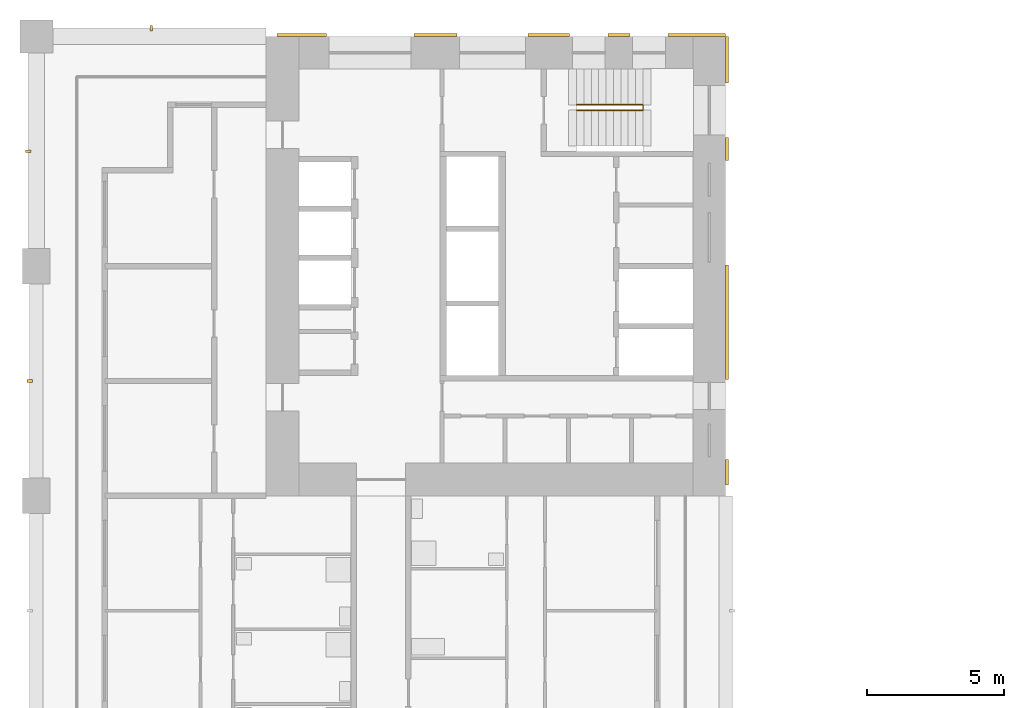
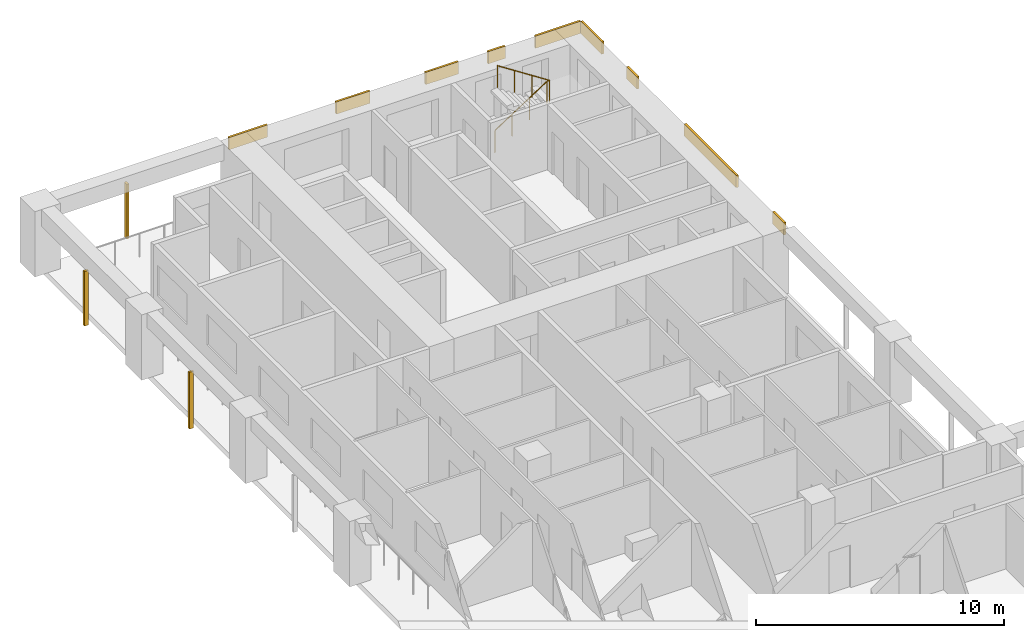
# One storey, part 15 of 17: 12 shading devices, 1 railing.
"""IFC4 building model written with IfcOpenShell, lengths in metres."""

from ifc_helpers import new_model, si_unit, direction, frame, origin, origin_2d, place, context, subcontext, project, spatial, rectangle, circle, extrude, material, layer, layer_set, material_profile, profile_set, type_object, element, save


model = new_model("IFC4")

# Units and contexts
model_context = context("Model", 3, precision=1e-05, world=origin(), true_north=direction((0.0, 1.0)))
body_context = subcontext(model_context, "Body", "Model", "MODEL_VIEW")
ifc_project = project(units=[si_unit("LENGTHUNIT", "METRE"), si_unit("AREAUNIT", "SQUARE_METRE"), si_unit("VOLUMEUNIT", "CUBIC_METRE"), si_unit("PLANEANGLEUNIT", "RADIAN"), si_unit("MASSUNIT", "GRAM", prefix="KILO")], contexts=[model_context])

# Site, building, storey
site_placement = place(None, origin())
site = spatial("IfcSite", under=ifc_project, at=site_placement, CompositionType="ELEMENT")
building_placement = place(site_placement, origin())
building = spatial("IfcBuilding", under=site, at=building_placement, Name="Vermilion Gate Residences", CompositionType="ELEMENT")
storey_placement = place(building_placement, frame((0.0, 0.0, 91.699951171875)))
storey = spatial("IfcBuildingStorey", under=building, at=storey_placement, Name="L22", CompositionType="ELEMENT", Elevation=91.699951171875)

# Railing
ifc_material_1 = material(Name="Steel S355", Category="steel")
railing_type = type_object("IfcRailingType", Name="STAIR GUARD 1100 STEEL", PredefinedType="GUARDRAIL", material=ifc_material_1)
railing_placement = place(storey_placement, frame((19.75, 56.300048828125, 0.175048828125)))
element("IfcRailing", 1, at=railing_placement, inside=storey, type_object=railing_type, Name="Stair well guard STB1-22", PredefinedType="GUARDRAIL", context=body_context, shape_type="SweptSolid", body=[
    extrude(circle(Radius=0.02392578125, at=origin_2d()), frame((0.0, 0.0, 1.076171875), z_axis=(0.839153699163, 0.0, 0.543894354798), x_axis=(0.0, 1.0, 0.0)), (0.0, 0.0, 1.0), 2.895751953125),
    extrude(circle(Radius=0.02392578125, at=origin_2d()), frame((2.429931640625, 0.0, 2.65087890625), z_axis=(0.0, -0.752405939678, 0.658699705433), x_axis=(1.0, 0.0, 0.0)), (0.0, 0.0, 1.0), 0.265869140625),
    extrude(circle(Radius=0.02392578125, at=origin_2d()), frame((2.429931640625, -0.199951171875, 2.826171875), z_axis=(-0.839153699163, 0.0, 0.543894354798), x_axis=(0.0, -1.0, 0.0)), (0.0, 0.0, 1.0), 2.895751953125),
    extrude(circle(Radius=0.02099609375, at=origin_2d()), origin(), (0.0, 0.0, 1.0), 1.052001953125),
    extrude(circle(Radius=0.02099609375, at=origin_2d()), frame((0.81005859375, 0.0, 0.52490234375)), (0.0, 0.0, 1.0), 1.052001953125),
    extrude(circle(Radius=0.02099609375, at=origin_2d()), frame((1.619873046875, 0.0, 1.050048828125)), (0.0, 0.0, 1.0), 1.052001953125),
    extrude(circle(Radius=0.02099609375, at=origin_2d()), frame((2.429931640625, 0.0, 1.574951171875)), (0.0, 0.0, 1.0), 1.052001953125),
    extrude(circle(Radius=0.02099609375, at=origin_2d()), frame((2.429931640625, -0.199951171875, 1.75)), (0.0, 0.0, 1.0), 1.052001953125),
    extrude(circle(Radius=0.02099609375, at=origin_2d()), frame((1.619873046875, -0.199951171875, 2.27490234375)), (0.0, 0.0, 1.0), 1.052001953125),
    extrude(circle(Radius=0.02099609375, at=origin_2d()), frame((0.81005859375, -0.199951171875, 2.800048828125)), (0.0, 0.0, 1.0), 1.052001953125),
    extrude(circle(Radius=0.02099609375, at=origin_2d()), frame((0.0, -0.199951171875, 3.324951171875)), (0.0, 0.0, 1.0), 1.052001953125),
])

# Shading devices
ifc_material_2 = material(Name="Extruded terracotta", Category="masonry")
ifc_material_profile = material_profile(ifc_material_2, rectangle(XDim=0.199951171875, YDim=0.10009765625, at=origin_2d()), Name="BAGUETTE 100 X 200")
ifc_profile_set = profile_set([ifc_material_profile], Name="Extruded terracotta")
shading_device_type_1 = type_object("IfcShadingDeviceType", Name="TERRACOTTA BAGUETTE 100 X 200", PredefinedType="JALOUSIE", material=ifc_profile_set)
shading_device_1_placement = place(storey_placement, frame((4.199951171875, 59.10009765625, -0.280029296875), z_axis=(0.0, 0.0, 1.0), x_axis=(0.0, -1.0, 0.0)))
element("IfcShadingDevice", 2, at=shading_device_1_placement, inside=storey, type_object=shading_device_type_1, Name="BAGUETTE", PredefinedType="JALOUSIE", context=body_context, shape_type="SweptSolid", body=[
    extrude(rectangle(XDim=0.199951171875, YDim=0.10009765625, at=origin_2d()), origin(), (0.0, 0.0, 1.0), 2.7001953125),
])
shading_device_2_placement = place(storey_placement, frame((-0.25, 46.199951171875, -0.280029296875), z_axis=(0.0, 0.0, 1.0), x_axis=(1.0, 0.0, 0.0)))
element("IfcShadingDevice", 3, at=shading_device_2_placement, inside=storey, type_object=shading_device_type_1, Name="BAGUETTE", PredefinedType="JALOUSIE", context=body_context, shape_type="SweptSolid", body=[
    extrude(rectangle(XDim=0.199951171875, YDim=0.10009765625, at=origin_2d()), origin(), (0.0, 0.0, 1.0), 2.800048828125),
])
shading_device_3_placement = place(storey_placement, frame((-0.300048828125, 54.60009765625, -0.280029296875), z_axis=(0.0, 0.0, 1.0), x_axis=(1.0, 0.0, 0.0)))
element("IfcShadingDevice", 4, at=shading_device_3_placement, inside=storey, type_object=shading_device_type_1, Name="BAGUETTE", PredefinedType="JALOUSIE", context=body_context, shape_type="SweptSolid", body=[
    extrude(rectangle(XDim=0.199951171875, YDim=0.10009765625, at=origin_2d()), origin(), (0.0, 0.0, 1.0), 2.7001953125),
])
ifc_material_3 = material(Name="Extruded terracotta", Category="masonry")
ifc_layer = layer(ifc_material_3, 0.10009765625)
ifc_layer_set = layer_set([ifc_layer], Name="TERRACOTTA SPANDREL BAND 600 X 100")
shading_device_type_2 = type_object("IfcShadingDeviceType", Name="TERRACOTTA SPANDREL BAND 600 X 100", PredefinedType="USERDEFINED", material=ifc_layer_set)
shading_device_4_placement = place(storey_placement, frame((9.702392578125, 58.85009765625, 2.6201171875), z_axis=(0.0, 0.0, 1.0), x_axis=(1.0, 0.0, 0.0)))
element("IfcShadingDevice", 5, at=shading_device_4_placement, inside=storey, type_object=shading_device_type_2, Name="SPANDREL BAND", ObjectType="BAND", PredefinedType="USERDEFINED", context=body_context, shape_type="SweptSolid", body=[
    extrude(rectangle(XDim=1.804931640625, YDim=0.10009765625, at=origin_2d()), origin(), (0.0, 0.0, 1.0), 0.60009765625),
])
shading_device_5_placement = place(storey_placement, frame((14.590087890625, 58.85009765625, 2.6201171875), z_axis=(0.0, 0.0, 1.0), x_axis=(1.0, 0.0, 0.0)))
element("IfcShadingDevice", 6, at=shading_device_5_placement, inside=storey, type_object=shading_device_type_2, Name="SPANDREL BAND", ObjectType="BAND", PredefinedType="USERDEFINED", context=body_context, shape_type="SweptSolid", body=[
    extrude(rectangle(XDim=1.570068359375, YDim=0.10009765625, at=origin_2d()), origin(), (0.0, 0.0, 1.0), 0.60009765625),
])
shading_device_6_placement = place(storey_placement, frame((18.734130859375, 58.85009765625, 2.6201171875), z_axis=(0.0, 0.0, 1.0), x_axis=(1.0, 0.0, 0.0)))
element("IfcShadingDevice", 7, at=shading_device_6_placement, inside=storey, type_object=shading_device_type_2, Name="SPANDREL BAND", ObjectType="BAND", PredefinedType="USERDEFINED", context=body_context, shape_type="SweptSolid", body=[
    extrude(rectangle(XDim=1.518310546875, YDim=0.10009765625, at=origin_2d()), origin(), (0.0, 0.0, 1.0), 0.60009765625),
])
shading_device_7_placement = place(storey_placement, frame((21.294921875, 58.85009765625, 2.6201171875), z_axis=(0.0, 0.0, 1.0), x_axis=(1.0, 0.0, 0.0)))
element("IfcShadingDevice", 8, at=shading_device_7_placement, inside=storey, type_object=shading_device_type_2, Name="SPANDREL BAND", ObjectType="BAND", PredefinedType="USERDEFINED", context=body_context, shape_type="SweptSolid", body=[
    extrude(rectangle(XDim=0.803466796875, YDim=0.10009765625, at=origin_2d()), origin(), (0.0, 0.0, 1.0), 0.60009765625),
])
shading_device_8_placement = place(storey_placement, frame((24.1484375, 58.85009765625, 2.6201171875), z_axis=(0.0, 0.0, 1.0), x_axis=(1.0, 0.0, 0.0)))
element("IfcShadingDevice", 9, at=shading_device_8_placement, inside=storey, type_object=shading_device_type_2, Name="SPANDREL BAND", ObjectType="BAND", PredefinedType="USERDEFINED", context=body_context, shape_type="SweptSolid", body=[
    extrude(rectangle(XDim=2.103271484375, YDim=0.10009765625, at=origin_2d()), origin(), (0.0, 0.0, 1.0), 0.60009765625),
])
shading_device_9_placement = place(storey_placement, frame((25.25, 42.862548828125, 2.6201171875), z_axis=(0.0, 0.0, 1.0), x_axis=(0.0, 1.0, 0.0)))
element("IfcShadingDevice", 10, at=shading_device_9_placement, inside=storey, type_object=shading_device_type_2, Name="SPANDREL BAND", ObjectType="BAND", PredefinedType="USERDEFINED", context=body_context, shape_type="SweptSolid", body=[
    extrude(rectangle(XDim=0.925048828125, YDim=0.10009765625, at=origin_2d()), origin(), (0.0, 0.0, 1.0), 0.60009765625),
])
shading_device_10_placement = place(storey_placement, frame((25.25, 48.35009765625, 2.6201171875), z_axis=(0.0, 0.0, 1.0), x_axis=(0.0, 1.0, 0.0)))
element("IfcShadingDevice", 11, at=shading_device_10_placement, inside=storey, type_object=shading_device_type_2, Name="SPANDREL BAND", ObjectType="BAND", PredefinedType="USERDEFINED", context=body_context, shape_type="SweptSolid", body=[
    extrude(rectangle(XDim=4.199951171875, YDim=0.10009765625, at=origin_2d()), origin(), (0.0, 0.0, 1.0), 0.60009765625),
])
shading_device_11_placement = place(storey_placement, frame((25.25, 54.67822265625, 2.6201171875), z_axis=(0.0, 0.0, 1.0), x_axis=(0.0, 1.0, 0.0)))
element("IfcShadingDevice", 12, at=shading_device_11_placement, inside=storey, type_object=shading_device_type_2, Name="SPANDREL BAND", ObjectType="BAND", PredefinedType="USERDEFINED", context=body_context, shape_type="SweptSolid", body=[
    extrude(rectangle(XDim=0.84375, YDim=0.10009765625, at=origin_2d()), origin(), (0.0, 0.0, 1.0), 0.60009765625),
])
shading_device_12_placement = place(storey_placement, frame((25.25, 57.949951171875, 2.6201171875), z_axis=(0.0, 0.0, 1.0), x_axis=(0.0, 1.0, 0.0)))
element("IfcShadingDevice", 13, at=shading_device_12_placement, inside=storey, type_object=shading_device_type_2, Name="SPANDREL BAND", ObjectType="BAND", PredefinedType="USERDEFINED", context=body_context, shape_type="SweptSolid", body=[
    extrude(rectangle(XDim=1.699951171875, YDim=0.10009765625, at=origin_2d()), origin(), (0.0, 0.0, 1.0), 0.60009765625),
])

save(model, "model.ifc")
